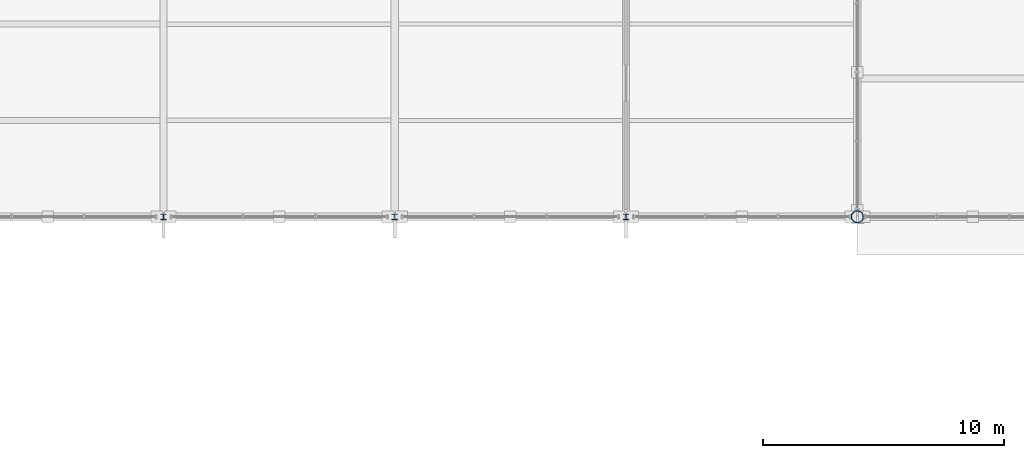
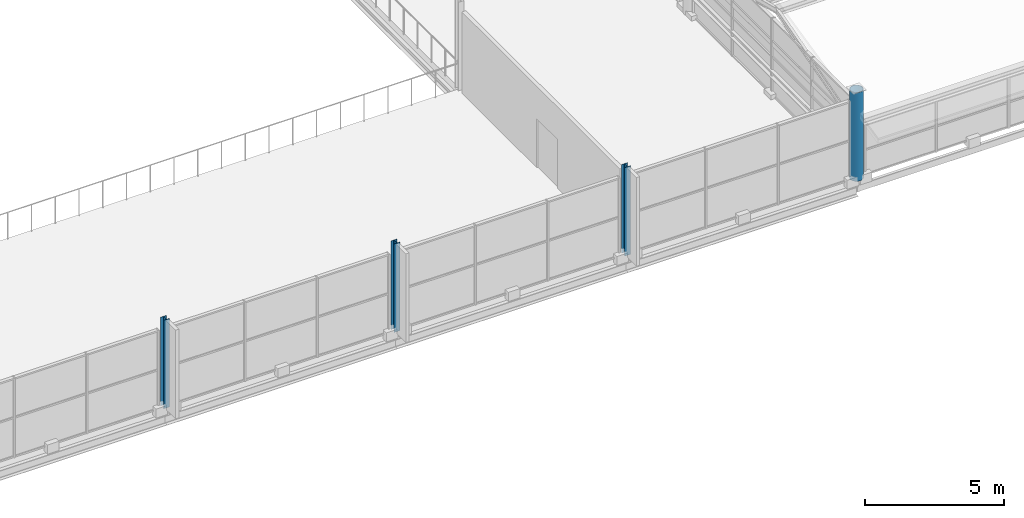
# One storey, part 2 of 117: 4 columns.
"""IFC4 building model written with IfcOpenShell, lengths in metres."""

from ifc_helpers import new_model, si_unit, direction, frame, origin, origin_2d, place, context, subcontext, project, spatial, hollow_circle, i_section, extrude, material, material_profile, profile_set, type_object, element, save


model = new_model("IFC4")

# Units and contexts
model_context = context("Model", 3, precision=1e-05, world=origin(), true_north=direction((0.0, 1.0)))
body_context = subcontext(model_context, "Body", "Model", "MODEL_VIEW")
ifc_project = project(units=[si_unit("LENGTHUNIT", "METRE"), si_unit("AREAUNIT", "SQUARE_METRE"), si_unit("VOLUMEUNIT", "CUBIC_METRE"), si_unit("PLANEANGLEUNIT", "RADIAN"), si_unit("MASSUNIT", "GRAM", prefix="KILO")], contexts=[model_context])

# Site, building, storey
site_placement = place(None, origin())
site = spatial("IfcSite", under=ifc_project, at=site_placement, CompositionType="ELEMENT")
building_placement = place(site_placement, origin())
building = spatial("IfcBuilding", under=site, at=building_placement, Name="Merenkruunu Market Hall", CompositionType="ELEMENT")
storey_placement = place(building_placement, frame((0.0, 0.0, 10.199951171875)))
storey = spatial("IfcBuildingStorey", under=building, at=storey_placement, Name="L02", CompositionType="ELEMENT", Elevation=10.199951171875)

# Columns
ifc_material_1 = material(Name="Steel S355J2", Category="steel")
ifc_material_profile_1 = material_profile(ifc_material_1, i_section(OverallWidth=0.239990234375, OverallDepth=0.22998046875, WebThickness=0.007568359375, FlangeThickness=0.011962890625, FilletRadius=0.02099609375, at=origin_2d()), Name="HEA 240")
ifc_profile_set_1 = profile_set([ifc_material_profile_1], Name="Steel S355J2")
column_type_1 = type_object("IfcColumnType", Name="Structural Column C10", PredefinedType="COLUMN", material=ifc_profile_set_1)
for number, where, z_axis, x_axis, name in (
    (1, (28.800048828125, 15.60009765625, 0.0), (0.0, 0.0, 1.0), (1.0, 0.0, 0.0), "COL-L02-D-03"),
    (2, (38.39990234375, 15.60009765625, 0.0), (0.0, 0.0, 1.0), (1.0, 0.0, 0.0), "COL-L02-E-03"),
    (3, (48.0, 15.60009765625, 0.0), (0.0, 0.0, 1.0), (1.0, 0.0, 0.0), "COL-L02-F-03"),
):
    element("IfcColumn", number, at=place(storey_placement, frame(where, z_axis=z_axis, x_axis=x_axis)), inside=storey, type_object=column_type_1, Name=name, PredefinedType="COLUMN", context=body_context, shape_type="SweptSolid", body=[
        extrude(i_section(OverallWidth=0.239990234375, OverallDepth=0.22998046875, WebThickness=0.007568359375, FlangeThickness=0.011962890625, FilletRadius=0.02099609375, at=origin_2d()), origin(), (0.0, 0.0, 1.0), 3.900146484375),
    ])
ifc_material_2 = material(Name="Steel S355ML", Category="steel")
ifc_material_profile_2 = material_profile(ifc_material_2, hollow_circle(Radius=0.25390625, WallThickness=0.02001953125, at=origin_2d()), Name="CHS 508x20")
ifc_profile_set_2 = profile_set([ifc_material_profile_2], Name="Steel S355ML")
column_type_2 = type_object("IfcColumnType", Name="Structural Column C11", PredefinedType="COLUMN", material=ifc_profile_set_2)
column_placement = place(storey_placement, frame((57.60009765625, 15.60009765625, 0.0), z_axis=(0.0, 0.0, 1.0), x_axis=(1.0, 0.0, 0.0)))
element("IfcColumn", 4, at=column_placement, inside=storey, type_object=column_type_2, Name="COL-L02-G-03", PredefinedType="COLUMN", context=body_context, shape_type="SweptSolid", body=[
    extrude(hollow_circle(Radius=0.25390625, WallThickness=0.02001953125, at=origin_2d()), origin(), (0.0, 0.0, 1.0), 3.900146484375),
])

save(model, "model.ifc")
